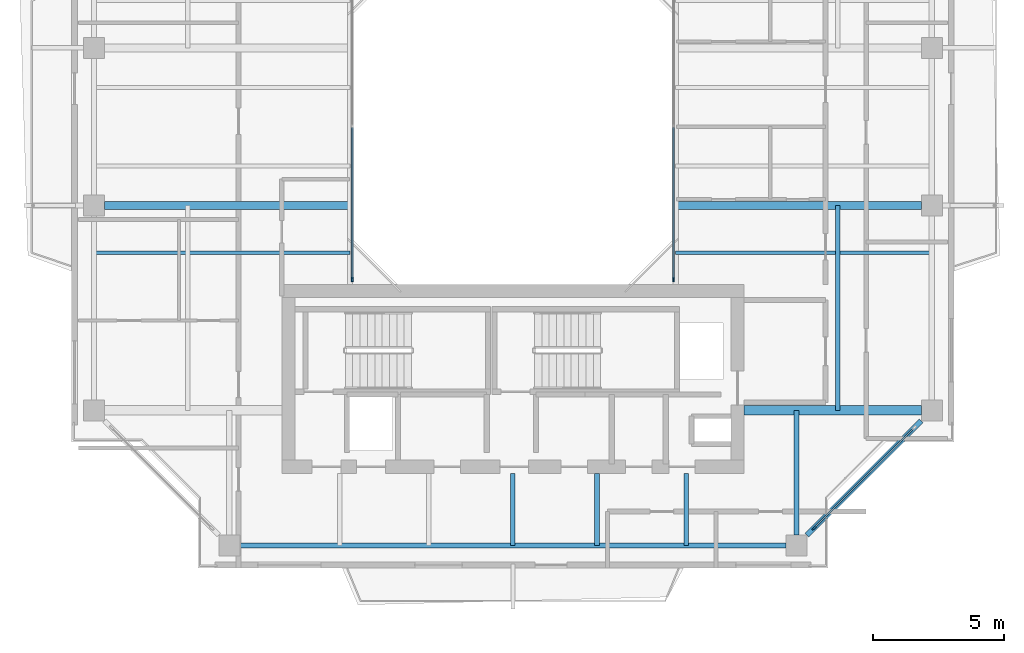
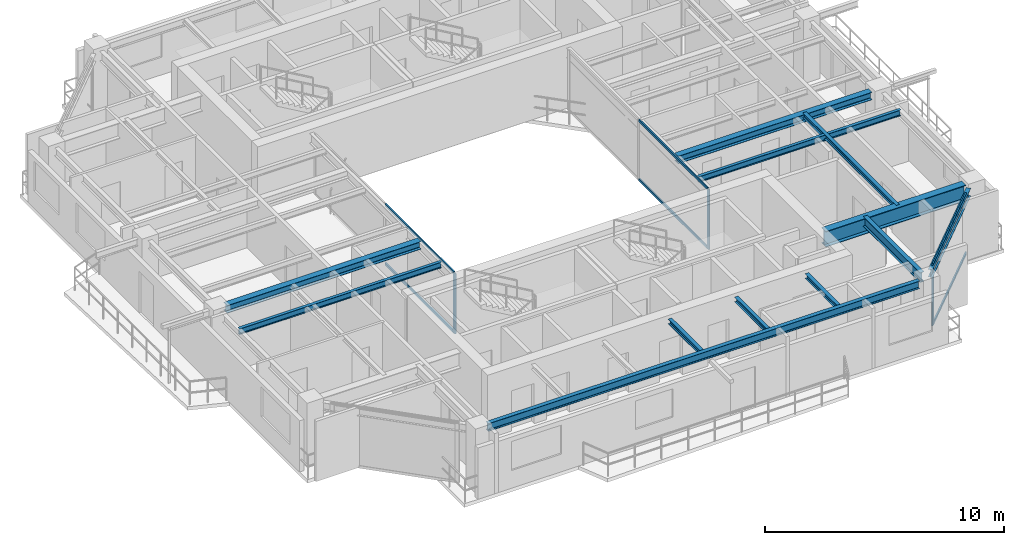
# One storey, part 4 of 15: 12 beams, 9 members, 3 elements without a shape of their own.
"""IFC4 building model written with IfcOpenShell, lengths in metres."""

import ifcopenshell
import ifcopenshell.guid

model = None  # the IFC model being written
_history = None  # IfcOwnerHistory: only IFC2X3 demands one
_inside = {}  # id of a spatial element -> (the spatial element, [elements in it])
_under = {}  # id of a project, library or spatial element -> (it, [spatial elements below it])
_declared = {}  # id of a project -> (the project, [libraries it declares])
_typed = {}  # id of a type object -> (the type object, [elements of that type])
_made_of = {}  # id of a material, layer set ... -> (it, [elements and type objects made of it])


def new_model(schema):
    """Start an empty IFC model of exactly this schema.

    Asked for "IFC4X3", IfcOpenShell would pick the latest addendum, in which some entities
    have other attributes; the version numbers below select the first issue.
    IFC2X3 requires an IfcOwnerHistory on every rooted entity: one is made here for all.
    """
    global model, _history
    if schema == "IFC4X3":
        model = ifcopenshell.file(schema_version=(4, 3, 0, 0))
    else:
        model = ifcopenshell.file(schema=schema)
    _inside.clear()
    _under.clear()
    _declared.clear()
    _typed.clear()
    _made_of.clear()
    _history = None
    if model.schema == "IFC2X3":
        org = make("IfcOrganization", Name="unknown")
        user = make(
            "IfcPersonAndOrganization",
            ThePerson=make("IfcPerson", FamilyName="unknown"),
            TheOrganization=org,
        )
        app = make(
            "IfcApplication",
            ApplicationDeveloper=org,
            Version="unknown",
            ApplicationFullName="unknown",
            ApplicationIdentifier="unknown",
        )
        _history = make(
            "IfcOwnerHistory",
            OwningUser=user,
            OwningApplication=app,
            ChangeAction="ADDED",
            CreationDate=0,
        )
    return model


def make(cls, **values):
    """One entity of the class cls with the attributes given. An attribute that is None is left unset."""
    return model.create_entity(
        cls, **{name: value for name, value in values.items() if value is not None}
    )


def rooted(cls, **values):
    """An entity with a GlobalId (a new one), such as an element, a storey or a relation."""
    return make(cls, GlobalId=ifcopenshell.guid.new(), OwnerHistory=_history, **values)


def si_unit(unit_type, name, prefix=None):
    """IfcSIUnit, for example si_unit("LENGTHUNIT", "METRE", prefix="MILLI")."""
    return make("IfcSIUnit", UnitType=unit_type, Prefix=prefix, Name=name)


def assignment(units):
    """IfcUnitAssignment: the units of a project."""
    return None if units is None else make("IfcUnitAssignment", Units=units)


def point(xyz):
    """IfcCartesianPoint."""
    return None if xyz is None else make("IfcCartesianPoint", Coordinates=xyz)


def direction(xyz):
    """IfcDirection."""
    return None if xyz is None else make("IfcDirection", DirectionRatios=xyz)


def frame(location, z_axis=None, x_axis=None):
    """IfcAxis2Placement3D, a coordinate frame: its origin and axes. An axis left out is left unset."""
    return make(
        "IfcAxis2Placement3D",
        Location=point(location),
        Axis=direction(z_axis),
        RefDirection=direction(x_axis),
    )


def frame_2d(location, x_axis=None):
    """IfcAxis2Placement2D, a coordinate frame in the plane: its origin and x axis."""
    return make(
        "IfcAxis2Placement2D", Location=point(location), RefDirection=direction(x_axis)
    )


def origin():
    """The frame at (0, 0, 0) with its axes left unset."""
    return frame((0.0, 0.0, 0.0))


def origin_2d():
    """The frame at (0, 0) in the plane with its x axis left unset."""
    return frame_2d((0.0, 0.0))


def place(relative_to, where):
    """IfcLocalPlacement: puts the frame where relative to a parent placement (None: the world)."""
    return make(
        "IfcLocalPlacement", PlacementRelTo=relative_to, RelativePlacement=where
    )


def context(
    kind, dimensions, precision=None, world=None, true_north=None, identifier=None
):
    """IfcGeometricRepresentationContext, for example the 3D "Model" context."""
    return make(
        "IfcGeometricRepresentationContext",
        ContextIdentifier=identifier,
        ContextType=kind,
        CoordinateSpaceDimension=dimensions,
        Precision=precision,
        WorldCoordinateSystem=world,
        TrueNorth=true_north,
    )


def subcontext(parent, identifier, kind, view, scale=None):
    """IfcGeometricRepresentationSubContext, for example "Body" below "Model"."""
    return make(
        "IfcGeometricRepresentationSubContext",
        ContextIdentifier=identifier,
        ContextType=kind,
        ParentContext=parent,
        TargetScale=scale,
        TargetView=view,
    )


def project(units=None, contexts=None):
    """IfcProject with its units and contexts."""
    return rooted(
        "IfcProject",
        Name="project",
        RepresentationContexts=contexts,
        UnitsInContext=assignment(units),
    )


def spatial(cls, under=None, at=None, **own):
    """A site, building, storey or space (cls), placed at a placement, below another one or the project."""
    s = rooted(cls, ObjectPlacement=at, **own)
    if under is not None:
        _under.setdefault(under.id(), (under, []))[1].append(s)
    return s


def profile(cls, at=None, kind="AREA", **sizes):
    """A parametric profile (cls). Its sizes go by their IFC names, for example OverallWidth=200.0."""
    return make(cls, ProfileType=kind, Position=at, **sizes)


def rectangle(**sizes):
    """IfcRectangleProfileDef."""
    return profile("IfcRectangleProfileDef", **sizes)


def i_section(**sizes):
    """IfcIShapeProfileDef."""
    return profile("IfcIShapeProfileDef", **sizes)


def extrude(swept, where, along, depth):
    """IfcExtrudedAreaSolid: the profile swept, set in the frame where, extruded along a direction by depth."""
    return make(
        "IfcExtrudedAreaSolid",
        SweptArea=swept,
        Position=where,
        ExtrudedDirection=direction(along),
        Depth=depth,
    )


def shape(context_of_items, identifier, shape_type, items):
    """IfcShapeRepresentation: the items that make up one representation, for example the "Body"."""
    return make(
        "IfcShapeRepresentation",
        ContextOfItems=context_of_items,
        RepresentationIdentifier=identifier,
        RepresentationType=shape_type,
        Items=items,
    )


def source(mapping_origin, context_of_items, identifier, shape_type, items):
    """IfcRepresentationMap: a shape defined once, which mapped items show again and again."""
    return make(
        "IfcRepresentationMap",
        MappingOrigin=mapping_origin,
        MappedRepresentation=shape(context_of_items, identifier, shape_type, items),
    )


def transform(
    local_origin,
    x_axis=None,
    y_axis=None,
    z_axis=None,
    scale=None,
    scale2=None,
    scale3=None,
    uniform=True,
):
    """IfcCartesianTransformationOperator3D, or its non-uniform kind. x_axis, y_axis, z_axis: its Axis1, 2, 3."""
    if uniform:
        return make(
            "IfcCartesianTransformationOperator3D",
            Axis1=direction(x_axis),
            Axis2=direction(y_axis),
            LocalOrigin=point(local_origin),
            Scale=scale,
            Axis3=direction(z_axis),
        )
    return make(
        "IfcCartesianTransformationOperator3DnonUniform",
        Axis1=direction(x_axis),
        Axis2=direction(y_axis),
        LocalOrigin=point(local_origin),
        Scale=scale,
        Axis3=direction(z_axis),
        Scale2=scale2,
        Scale3=scale3,
    )


def mapped(mapping_source, mapping_target):
    """IfcMappedItem: shows the shape of a source again, moved by a transform."""
    return make(
        "IfcMappedItem", MappingSource=mapping_source, MappingTarget=mapping_target
    )


def material(Name=None, Category=None):
    """IfcMaterial."""
    return make("IfcMaterial", Name=Name, Category=Category)


def layer(
    of_material, thickness, ventilated=None, Name=None, Category=None, Priority=None
):
    """IfcMaterialLayer: one layer of a wall or slab, of a material (None: an air gap)."""
    return make(
        "IfcMaterialLayer",
        Material=of_material,
        LayerThickness=thickness,
        IsVentilated=ventilated,
        Name=Name,
        Category=Category,
        Priority=Priority,
    )


def layer_set(layers, Name=None):
    """IfcMaterialLayerSet."""
    return make("IfcMaterialLayerSet", MaterialLayers=layers, LayerSetName=Name)


def material_profile(
    of_material, cross_section, Name=None, Category=None, Priority=None
):
    """IfcMaterialProfile: a cross section and its material."""
    return make(
        "IfcMaterialProfile",
        Name=Name,
        Material=of_material,
        Profile=cross_section,
        Priority=Priority,
        Category=Category,
    )


def profile_set(profiles, Name=None, composite=None):
    """IfcMaterialProfileSet."""
    return make(
        "IfcMaterialProfileSet",
        Name=Name,
        MaterialProfiles=profiles,
        CompositeProfile=composite,
    )


def made_of(thing, what):
    """Note that an element or type object is made of a material, layer set ...; save() writes the relation."""
    if what is not None:
        _made_of.setdefault(what.id(), (what, []))[1].append(thing)
    return thing


def type_object(cls, material=None, **own):
    """A type object (cls), such as IfcWallType, which elements share."""
    return made_of(rooted(cls, **own), material)


def element(
    cls,
    number,
    at=None,
    inside=None,
    cuts=None,
    type_object=None,
    material=None,
    context=None,
    identifier="Body",
    shape_type=None,
    held_by="IfcProductDefinitionShape",
    body=None,
    shapes=None,
    **own,
):
    """One element of the class cls, such as IfcWall. Its Tag is "e" and its number.

    at: its placement. inside: the storey or other place that contains it. cuts: it is an
    opening in that element (IfcRelVoidsElement). A single representation is given by context,
    identifier, shape_type and body (its items); several are given by shapes. held_by: the class
    of the entity that holds the representations. save() writes the other relations.
    """
    e = rooted(cls, Tag="e%d" % number, ObjectPlacement=at, **own)
    if body is not None:
        shapes = [shape(context, identifier, shape_type, body)]
    if shapes is not None:
        e.Representation = make(held_by, Representations=shapes)
    if inside is not None:
        _inside.setdefault(inside.id(), (inside, []))[1].append(e)
    if cuts is not None:
        rooted(
            "IfcRelVoidsElement", RelatingBuildingElement=cuts, RelatedOpeningElement=e
        )
    if type_object is not None:
        _typed.setdefault(type_object.id(), (type_object, []))[1].append(e)
    return made_of(e, material)


def aggregate(whole, parts):
    """IfcRelAggregates: a whole, such as a stair, and the parts it consists of."""
    return rooted("IfcRelAggregates", RelatingObject=whole, RelatedObjects=parts)


def save(model, path):
    """Write the relations noted so far, then the file.

    IfcRelAggregates (storeys below a building ...), IfcRelContainedInSpatialStructure (elements
    in a storey), IfcRelDefinesByType, IfcRelAssociatesMaterial and IfcRelDeclares: one each for
    every whole, place, type object, material and project.
    """
    for whole, parts in _under.values():
        aggregate(whole, parts)
    for where, things in _inside.values():
        rooted(
            "IfcRelContainedInSpatialStructure",
            RelatedElements=things,
            RelatingStructure=where,
        )
    for kind, things in _typed.values():
        rooted("IfcRelDefinesByType", RelatedObjects=things, RelatingType=kind)
    for what, things in _made_of.values():
        rooted("IfcRelAssociatesMaterial", RelatedObjects=things, RelatingMaterial=what)
    for by, libraries in _declared.values():
        rooted("IfcRelDeclares", RelatingContext=by, RelatedDefinitions=libraries)
    model.write(path)


model = new_model("IFC4")

# Units and contexts
model_context = context("Model", 3, precision=1e-05, world=origin(), true_north=direction((0.0, 1.0)))
body_context = subcontext(model_context, "Body", "Model", "MODEL_VIEW")
ifc_project = project(units=[si_unit("LENGTHUNIT", "METRE"), si_unit("AREAUNIT", "SQUARE_METRE"), si_unit("VOLUMEUNIT", "CUBIC_METRE"), si_unit("PLANEANGLEUNIT", "RADIAN"), si_unit("MASSUNIT", "GRAM", prefix="KILO"), si_unit("THERMODYNAMICTEMPERATUREUNIT", "KELVIN"), si_unit("POWERUNIT", "WATT")], contexts=[model_context])

# Site, building, storey
site_placement = place(None, origin())
site = spatial("IfcSite", under=ifc_project, at=site_placement, CompositionType="ELEMENT")
building_placement = place(site_placement, origin())
building = spatial("IfcBuilding", under=site, at=building_placement, Name="Qiaomeng Ring Towers", CompositionType="ELEMENT")
storey_placement = place(building_placement, frame((0.0, 0.0, 200.25)))
storey = spatial("IfcBuildingStorey", under=building, at=storey_placement, Name="L58", CompositionType="ELEMENT", Elevation=200.25)

# Beams
ifc_material_1 = material(Name="Steel Q355B", Category="steel")
ifc_material_profile_1 = material_profile(ifc_material_1, i_section(OverallWidth=0.198974609375, OverallDepth=0.39599609375, WebThickness=0.007080078125, FlangeThickness=0.010986328125, FilletRadius=0.01611328125, at=origin_2d()), Name="HN 396x199x7x11")
ifc_profile_set_1 = profile_set([ifc_material_profile_1], Name="Steel Q355B")
beam_type_1 = type_object("IfcBeamType", Name="STR-BM-HN396", PredefinedType="SPANDREL", material=ifc_profile_set_1)
shared_shape_1 = source(origin(), body_context, "Body", "SweptSolid", [
    extrude(i_section(OverallWidth=0.198974609375, OverallDepth=0.39599609375, WebThickness=0.007080078125, FlangeThickness=0.010986328125, FilletRadius=0.01611328125, at=origin_2d()), origin(), (0.0, 0.0, 1.0), 20.8017578125),
])
beam_1_placement = place(storey_placement, frame((8.59912109375, 7.050048828125, 2.8720703125), z_axis=(1.0, 0.0, 0.0), x_axis=(0.0, 1.0, 0.0)))
element("IfcBeam", 1, at=beam_1_placement, inside=storey, type_object=beam_type_1, Name="L58 beam STR-SP-L58-T1-S1-S2", PredefinedType="SPANDREL", context=body_context, shape_type="MappedRepresentation", body=[
    mapped(shared_shape_1, transform((0.0, 0.0, 0.0), x_axis=(1.0, 0.0, 0.0), y_axis=(0.0, 1.0, 0.0), z_axis=(0.0, 0.0, 1.0), scale=1.0)),
])
shared_shape_2 = source(origin(), body_context, "Body", "SweptSolid", [
    extrude(i_section(OverallWidth=0.198974609375, OverallDepth=0.39599609375, WebThickness=0.007080078125, FlangeThickness=0.010986328125, FilletRadius=0.01611328125, at=origin_2d()), origin(), (0.0, 0.0, 1.0), 6.154052734375),
])
beam_2_placement = place(storey_placement, frame((30.19921875, 7.44921875, 2.8720703125), z_axis=(0.707106781187, 0.707106781187, 0.0), x_axis=(-0.707106781187, 0.707106781187, 0.0)))
element("IfcBeam", 2, at=beam_2_placement, inside=storey, type_object=beam_type_1, Name="L58 beam STR-SP-L58-T1-S2-E1", PredefinedType="SPANDREL", context=body_context, shape_type="MappedRepresentation", body=[
    mapped(shared_shape_2, transform((0.0, 0.0, 0.0), x_axis=(1.0, 0.0, 0.0), y_axis=(0.0, 1.0, 0.0), z_axis=(0.0, 0.0, 1.0), scale=1.0)),
])
ifc_material_2 = material(Name="Steel Q390GJC", Category="steel")
ifc_material_profile_2 = material_profile(ifc_material_2, i_section(OverallWidth=0.35009765625, OverallDepth=0.800048828125, WebThickness=0.01611328125, FlangeThickness=0.028076171875, at=origin_2d()), Name="WH 800x350x16x28")
ifc_profile_set_2 = profile_set([ifc_material_profile_2], Name="Steel Q390GJC")
beam_type_2 = type_object("IfcBeamType", Name="STR-BM-WH800", PredefinedType="BEAM", material=ifc_profile_set_2)
shared_shape_3 = source(origin(), body_context, "Body", "SweptSolid", [
    extrude(i_section(OverallWidth=0.35009765625, OverallDepth=0.800048828125, WebThickness=0.01611328125, FlangeThickness=0.028076171875, at=origin_2d()), origin(), (0.0, 0.0, 1.0), 6.7509765625),
])
beam_3_placement = place(storey_placement, frame((27.800048828125, 12.199951171875, 2.669921875), z_axis=(1.0, 0.0, 0.0), x_axis=(0.0, 1.0, 0.0)))
element("IfcBeam", 3, at=beam_3_placement, inside=storey, type_object=beam_type_2, Name="L58 beam STR-BM-L58-T1-RAD-E1", PredefinedType="BEAM", context=body_context, shape_type="MappedRepresentation", body=[
    mapped(shared_shape_3, transform((0.0, 0.0, 0.0), x_axis=(1.0, 0.0, 0.0), y_axis=(0.0, 1.0, 0.0), z_axis=(0.0, 0.0, 1.0), scale=1.0)),
])
ifc_material_profile_3 = material_profile(ifc_material_1, i_section(OverallWidth=0.199951171875, OverallDepth=0.5, WebThickness=0.010009765625, FlangeThickness=0.01611328125, FilletRadius=0.02001953125, at=origin_2d()), Name="HN 500x200x10x16")
ifc_profile_set_3 = profile_set([ifc_material_profile_3], Name="Steel Q355B")
beam_type_3 = type_object("IfcBeamType", Name="STR-BM-HN500", PredefinedType="BEAM", material=ifc_profile_set_3)
shared_shape_4 = source(origin(), body_context, "Body", "SweptSolid", [
    extrude(i_section(OverallWidth=0.199951171875, OverallDepth=0.5, WebThickness=0.010009765625, FlangeThickness=0.01611328125, FilletRadius=0.02001953125, at=origin_2d()), origin(), (0.0, 0.0, 1.0), 4.7509765625),
])
beam_4_placement = place(storey_placement, frame((29.800048828125, 7.448974609375, 2.820068359375), z_axis=(0.0, 1.0, 0.0), x_axis=(-1.0, 0.0, 0.0)))
element("IfcBeam", 4, at=beam_4_placement, inside=storey, type_object=beam_type_3, Name="L58 beam STR-BM-L58-T1-RAD-S2", PredefinedType="BEAM", context=body_context, shape_type="MappedRepresentation", body=[
    mapped(shared_shape_4, transform((0.0, 0.0, 0.0), x_axis=(1.0, 0.0, 0.0), y_axis=(0.0, 1.0, 0.0), z_axis=(0.0, 0.0, 1.0), scale=1.0)),
])
ifc_material_profile_4 = material_profile(ifc_material_1, i_section(OverallWidth=0.300048828125, OverallDepth=0.389892578125, WebThickness=0.010009765625, FlangeThickness=0.01611328125, FilletRadius=0.02197265625, at=origin_2d()), Name="HM 390x300x10x16")
ifc_profile_set_4 = profile_set([ifc_material_profile_4], Name="Steel Q355B")
beam_type_4 = type_object("IfcBeamType", Name="STR-BM-HM390", PredefinedType="BEAM", material=ifc_profile_set_4)
shared_shape_5 = source(origin(), body_context, "Body", "SweptSolid", [
    extrude(i_section(OverallWidth=0.300048828125, OverallDepth=0.389892578125, WebThickness=0.010009765625, FlangeThickness=0.01611328125, FilletRadius=0.02197265625, at=origin_2d()), origin(), (0.0, 0.0, 1.0), 9.35107421875),
])
for number, where, z_axis, x_axis, name in (
    (5, (3.448974609375, 20.0, 2.875), (1.0, 0.0, 0.0), (0.0, 1.0, 0.0), "L58 beam STR-BM-L58-T1-RAD-W2"),
    (6, (25.199951171875, 20.0, 2.875), (1.0, 0.0, 0.0), (0.0, 1.0, 0.0), "L58 beam STR-BM-L58-T1-RAD-E2"),
):
    element("IfcBeam", number, at=place(storey_placement, frame(where, z_axis=z_axis, x_axis=x_axis)), inside=storey, type_object=beam_type_4, Name=name, PredefinedType="BEAM", context=body_context, shape_type="MappedRepresentation", body=[
        mapped(shared_shape_5, transform((0.0, 0.0, 0.0), x_axis=(1.0, 0.0, 0.0), y_axis=(0.0, 1.0, 0.0), z_axis=(0.0, 0.0, 1.0), scale=1.0)),
    ])
ifc_material_profile_5 = material_profile(ifc_material_1, i_section(OverallWidth=0.175048828125, OverallDepth=0.243896484375, WebThickness=0.007080078125, FlangeThickness=0.010986328125, FilletRadius=0.01611328125, at=origin_2d()), Name="HM 244x175x7x11")
ifc_profile_set_5 = profile_set([ifc_material_profile_5], Name="Steel Q355B")
beam_type_5 = type_object("IfcBeamType", Name="STR-BM-HM244", PredefinedType="JOIST", material=ifc_profile_set_5)
shared_shape_6 = source(origin(), body_context, "Body", "SweptSolid", [
    extrude(i_section(OverallWidth=0.175048828125, OverallDepth=0.243896484375, WebThickness=0.007080078125, FlangeThickness=0.010986328125, FilletRadius=0.01611328125, at=origin_2d()), origin(), (0.0, 0.0, 1.0), 2.75),
])
for number, where, z_axis, x_axis, name in (
    (7, (19.0, 7.050048828125, 2.947998046875), (0.0, 1.0, 0.0), (-1.0, 0.0, 0.0), "L58 beam STR-JST-L58-T1S-3"),
    (8, (22.199951171875, 7.050048828125, 2.947998046875), (0.0, 1.0, 0.0), (-1.0, 0.0, 0.0), "L58 beam STR-JST-L58-T1S-4"),
    (9, (25.60009765625, 7.050048828125, 2.947998046875), (0.0, 1.0, 0.0), (-1.0, 0.0, 0.0), "L58 beam STR-JST-L58-T1S-5"),
):
    element("IfcBeam", number, at=place(storey_placement, frame(where, z_axis=z_axis, x_axis=x_axis)), inside=storey, type_object=beam_type_5, Name=name, PredefinedType="JOIST", context=body_context, shape_type="MappedRepresentation", body=[
        mapped(shared_shape_6, transform((0.0, 0.0, 0.0), x_axis=(1.0, 0.0, 0.0), y_axis=(0.0, 1.0, 0.0), z_axis=(0.0, 0.0, 1.0), scale=1.0)),
    ])
ifc_material_profile_6 = material_profile(ifc_material_1, i_section(OverallWidth=0.14990234375, OverallDepth=0.300048828125, WebThickness=0.006591796875, FlangeThickness=0.009033203125, FilletRadius=0.012939453125, at=origin_2d()), Name="HN 300x150x6.5x9")
ifc_profile_set_6 = profile_set([ifc_material_profile_6], Name="Steel Q355B")
beam_type_6 = type_object("IfcBeamType", Name="STR-BM-HN300", PredefinedType="JOIST", material=ifc_profile_set_6)
shared_shape_7 = source(origin(), body_context, "Body", "SweptSolid", [
    extrude(i_section(OverallWidth=0.14990234375, OverallDepth=0.300048828125, WebThickness=0.006591796875, FlangeThickness=0.009033203125, FilletRadius=0.012939453125, at=origin_2d()), origin(), (0.0, 0.0, 1.0), 9.75),
])
for number, where, z_axis, x_axis, name in (
    (10, (3.050048828125, 18.199951171875, 2.919921875), (1.0, 0.0, 0.0), (0.0, 1.0, 0.0), "L58 beam STR-JST-L58-T1W-1"),
    (11, (25.199951171875, 18.199951171875, 2.919921875), (1.0, 0.0, 0.0), (0.0, 1.0, 0.0), "L58 beam STR-JST-L58-T1E-1"),
):
    element("IfcBeam", number, at=place(storey_placement, frame(where, z_axis=z_axis, x_axis=x_axis)), inside=storey, type_object=beam_type_6, Name=name, PredefinedType="JOIST", context=body_context, shape_type="MappedRepresentation", body=[
        mapped(shared_shape_7, transform((0.0, 0.0, 0.0), x_axis=(1.0, 0.0, 0.0), y_axis=(0.0, 1.0, 0.0), z_axis=(0.0, 0.0, 1.0), scale=1.0)),
    ])
shared_shape_8 = source(origin(), body_context, "Body", "SweptSolid", [
    extrude(i_section(OverallWidth=0.175048828125, OverallDepth=0.243896484375, WebThickness=0.007080078125, FlangeThickness=0.010986328125, FilletRadius=0.01611328125, at=origin_2d()), origin(), (0.0, 0.0, 1.0), 7.800048828125),
])
beam_5_placement = place(storey_placement, frame((31.375, 12.199951171875, 2.947998046875), z_axis=(0.0, 1.0, 0.0), x_axis=(-1.0, 0.0, 0.0)))
element("IfcBeam", 12, at=beam_5_placement, inside=storey, type_object=beam_type_5, Name="L58 beam STR-JST-L58-T1C-ES", PredefinedType="JOIST", context=body_context, shape_type="MappedRepresentation", body=[
    mapped(shared_shape_8, transform((0.0, 0.0, 0.0), x_axis=(1.0, 0.0, 0.0), y_axis=(0.0, 1.0, 0.0), z_axis=(0.0, 0.0, 1.0), scale=1.0)),
])

# Curtain wall, member
ifc_material_3 = material(Name="Fluorocarbon dark-grey aluminium", Category="aluminium")
ifc_layer_1 = layer(ifc_material_3, 0.139892578125, Name="Fluorocarbon dark-grey aluminium")
ifc_layer_set_1 = layer_set([ifc_layer_1], Name="Fluorocarbon dark-grey aluminium")
curtain_wall_type_1 = type_object("IfcCurtainWallType", Name="ARC-CW-4", PredefinedType="NOTDEFINED", material=ifc_layer_set_1)
curtain_wall_1_placement = place(storey_placement, origin())
curtain_wall_1 = element("IfcCurtainWall", 13, at=curtain_wall_1_placement, inside=storey, type_object=curtain_wall_type_1, Name="L58 Curtain Wall CW4", PredefinedType="NOTDEFINED")
ifc_material_profile_7 = material_profile(ifc_material_3, rectangle(XDim=0.06494140625, YDim=0.159912109375, at=origin_2d()), Name="ALU MULL 65x160")
ifc_profile_set_7 = profile_set([ifc_material_profile_7], Name="Fluorocarbon dark-grey aluminium")
member_type_1 = type_object("IfcMemberType", Name="ARC-CWM-140", PredefinedType="MULLION", material=ifc_profile_set_7)
shared_shape_9 = source(origin(), body_context, "Body", "SweptSolid", [
    extrude(rectangle(XDim=0.06494140625, YDim=0.159912109375, at=origin_2d()), origin(), (0.0, 0.0, 1.0), 3.070068359375),
])
member_1_placement = place(storey_placement, frame((12.8798828125, 17.1826171875, 0.0), z_axis=(0.0, 0.0, 1.0), x_axis=(-1.0, 0.0, 0.0)))
member_1 = element("IfcMember", 14, at=member_1_placement, type_object=member_type_1, Name="CW4 mullion 1", PredefinedType="MULLION", context=body_context, shape_type="MappedRepresentation", body=[
    mapped(shared_shape_9, transform((0.0, 0.0, 0.0), x_axis=(1.0, 0.0, 0.0), y_axis=(0.0, 1.0, 0.0), z_axis=(0.0, 0.0, 1.0), scale=1.0)),
])

curtain_wall_2_placement = place(storey_placement, origin())
curtain_wall_2 = element("IfcCurtainWall", 15, at=curtain_wall_2_placement, inside=storey, type_object=curtain_wall_type_1, Name="L58 Curtain Wall CW4", PredefinedType="NOTDEFINED")
member_2_placement = place(storey_placement, frame((25.1201171875, 17.1826171875, 0.0), z_axis=(0.0, 0.0, 1.0), x_axis=(-1.0, 0.0, 0.0)))
member_2 = element("IfcMember", 16, at=member_2_placement, type_object=member_type_1, Name="CW4 mullion 1", PredefinedType="MULLION", context=body_context, shape_type="MappedRepresentation", body=[
    mapped(shared_shape_9, transform((0.0, 0.0, 0.0), x_axis=(1.0, 0.0, 0.0), y_axis=(0.0, 1.0, 0.0), z_axis=(0.0, 0.0, 1.0), scale=1.0)),
])

# Member
ifc_material_profile_8 = material_profile(ifc_material_3, rectangle(XDim=0.06494140625, YDim=0.1298828125, at=origin_2d()), Name="ALU TRAN 65x130")
ifc_profile_set_8 = profile_set([ifc_material_profile_8], Name="Fluorocarbon dark-grey aluminium")
member_type_2 = type_object("IfcMemberType", Name="ARC-CWT-120", PredefinedType="USERDEFINED", material=ifc_profile_set_8)
shared_shape_10 = source(origin(), body_context, "Body", "SweptSolid", [
    extrude(rectangle(XDim=0.06494140625, YDim=0.1298828125, at=origin_2d()), origin(), (0.0, 0.0, 1.0), 5.75244140625),
])
member_3_placement = place(storey_placement, frame((12.8798828125, 17.215087890625, 0.032470703125), z_axis=(0.0, 1.0, 0.0), x_axis=(-1.0, 0.0, 0.0)))
member_3 = element("IfcMember", 17, at=member_3_placement, type_object=member_type_2, Name="CW4 transom 1.1", ObjectType="TRANSOM", PredefinedType="USERDEFINED", context=body_context, shape_type="MappedRepresentation", body=[
    mapped(shared_shape_10, transform((0.0, 0.0, 0.0), x_axis=(1.0, 0.0, 0.0), y_axis=(0.0, 1.0, 0.0), z_axis=(0.0, 0.0, 1.0), scale=1.0)),
])

member_4_placement = place(storey_placement, frame((12.8798828125, 17.215087890625, 3.03759765625), z_axis=(0.0, 1.0, 0.0), x_axis=(-1.0, 0.0, 0.0)))
member_4 = element("IfcMember", 18, at=member_4_placement, type_object=member_type_2, Name="CW4 transom 1.2", ObjectType="TRANSOM", PredefinedType="USERDEFINED", context=body_context, shape_type="MappedRepresentation", body=[
    mapped(shared_shape_10, transform((0.0, 0.0, 0.0), x_axis=(1.0, 0.0, 0.0), y_axis=(0.0, 1.0, 0.0), z_axis=(0.0, 0.0, 1.0), scale=1.0)),
])

aggregate(curtain_wall_1, [member_1, member_3, member_4])

member_5_placement = place(storey_placement, frame((25.1201171875, 17.215087890625, 0.032470703125), z_axis=(0.0, 1.0, 0.0), x_axis=(-1.0, 0.0, 0.0)))
member_5 = element("IfcMember", 19, at=member_5_placement, type_object=member_type_2, Name="CW4 transom 1.1", ObjectType="TRANSOM", PredefinedType="USERDEFINED", context=body_context, shape_type="MappedRepresentation", body=[
    mapped(shared_shape_10, transform((0.0, 0.0, 0.0), x_axis=(1.0, 0.0, 0.0), y_axis=(0.0, 1.0, 0.0), z_axis=(0.0, 0.0, 1.0), scale=1.0)),
])

member_6_placement = place(storey_placement, frame((25.1201171875, 17.215087890625, 3.03759765625), z_axis=(0.0, 1.0, 0.0), x_axis=(-1.0, 0.0, 0.0)))
member_6 = element("IfcMember", 20, at=member_6_placement, type_object=member_type_2, Name="CW4 transom 1.2", ObjectType="TRANSOM", PredefinedType="USERDEFINED", context=body_context, shape_type="MappedRepresentation", body=[
    mapped(shared_shape_10, transform((0.0, 0.0, 0.0), x_axis=(1.0, 0.0, 0.0), y_axis=(0.0, 1.0, 0.0), z_axis=(0.0, 0.0, 1.0), scale=1.0)),
])

aggregate(curtain_wall_2, [member_2, member_5, member_6])

# Curtain wall, members
ifc_layer_2 = layer(ifc_material_3, 0.14990234375, Name="Fluorocarbon dark-grey aluminium")
ifc_layer_set_2 = layer_set([ifc_layer_2], Name="Fluorocarbon dark-grey aluminium")
curtain_wall_type_2 = type_object("IfcCurtainWallType", Name="ARC-CW-3", PredefinedType="NOTDEFINED", material=ifc_layer_set_2)
curtain_wall_3_placement = place(storey_placement, origin())
curtain_wall_3 = element("IfcCurtainWall", 21, at=curtain_wall_3_placement, inside=storey, type_object=curtain_wall_type_2, Name="L58 Curtain Wall CW3", PredefinedType="NOTDEFINED")
ifc_material_profile_9 = material_profile(ifc_material_3, rectangle(XDim=0.070068359375, YDim=0.179931640625, at=origin_2d()), Name="ALU MULL 70x180")
ifc_profile_set_9 = profile_set([ifc_material_profile_9], Name="Fluorocarbon dark-grey aluminium")
member_type_3 = type_object("IfcMemberType", Name="ARC-CWM-160", PredefinedType="MULLION", material=ifc_profile_set_9)
shared_shape_11 = source(origin(), body_context, "Body", "SweptSolid", [
    extrude(rectangle(XDim=0.070068359375, YDim=0.179931640625, at=origin_2d()), origin(), (0.0, 0.0, 1.0), 3.070068359375),
])
member_7_placement = place(storey_placement, frame((30.46484375, 7.71484375, 0.0), z_axis=(0.0, 0.0, 1.0), x_axis=(-0.707106781187, 0.707106781187, 0.0)))
member_7 = element("IfcMember", 22, at=member_7_placement, type_object=member_type_3, Name="CW3 mullion 1", PredefinedType="MULLION", context=body_context, shape_type="MappedRepresentation", body=[
    mapped(shared_shape_11, transform((0.0, 0.0, 0.0), x_axis=(1.0, 0.0, 0.0), y_axis=(0.0, 1.0, 0.0), z_axis=(0.0, 0.0, 1.0), scale=1.0)),
])
shared_shape_12 = source(origin(), body_context, "Body", "SweptSolid", [
    extrude(rectangle(XDim=0.06494140625, YDim=0.1298828125, at=origin_2d()), origin(), (0.0, 0.0, 1.0), 5.3330078125),
])
member_8_placement = place(storey_placement, frame((30.489501953125, 7.739501953125, 0.032470703125), z_axis=(0.707106781187, 0.707106781187, 0.0), x_axis=(-0.707106781187, 0.707106781187, 0.0)))
member_8 = element("IfcMember", 23, at=member_8_placement, type_object=member_type_2, Name="CW3 transom 1.1", ObjectType="TRANSOM", PredefinedType="USERDEFINED", context=body_context, shape_type="MappedRepresentation", body=[
    mapped(shared_shape_12, transform((0.0, 0.0, 0.0), x_axis=(1.0, 0.0, 0.0), y_axis=(0.0, 1.0, 0.0), z_axis=(0.0, 0.0, 1.0), scale=1.0)),
])
member_9_placement = place(storey_placement, frame((30.489501953125, 7.739501953125, 3.03759765625), z_axis=(0.707106781187, 0.707106781187, 0.0), x_axis=(-0.707106781187, 0.707106781187, 0.0)))
member_9 = element("IfcMember", 24, at=member_9_placement, type_object=member_type_2, Name="CW3 transom 1.2", ObjectType="TRANSOM", PredefinedType="USERDEFINED", context=body_context, shape_type="MappedRepresentation", body=[
    mapped(shared_shape_12, transform((0.0, 0.0, 0.0), x_axis=(1.0, 0.0, 0.0), y_axis=(0.0, 1.0, 0.0), z_axis=(0.0, 0.0, 1.0), scale=1.0)),
])
aggregate(curtain_wall_3, [member_7, member_8, member_9])

save(model, "model.ifc")
